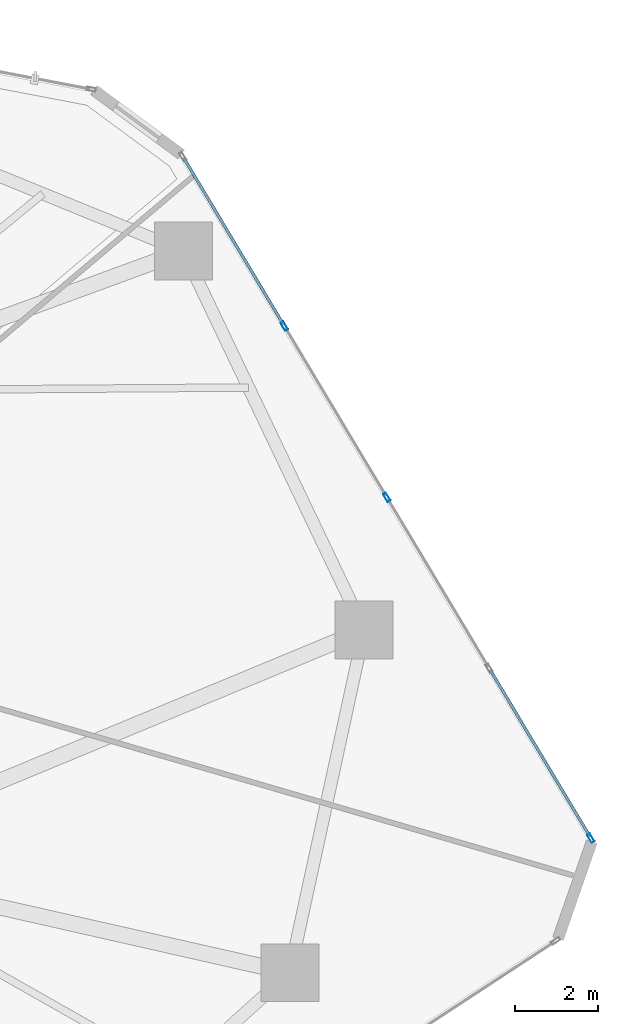
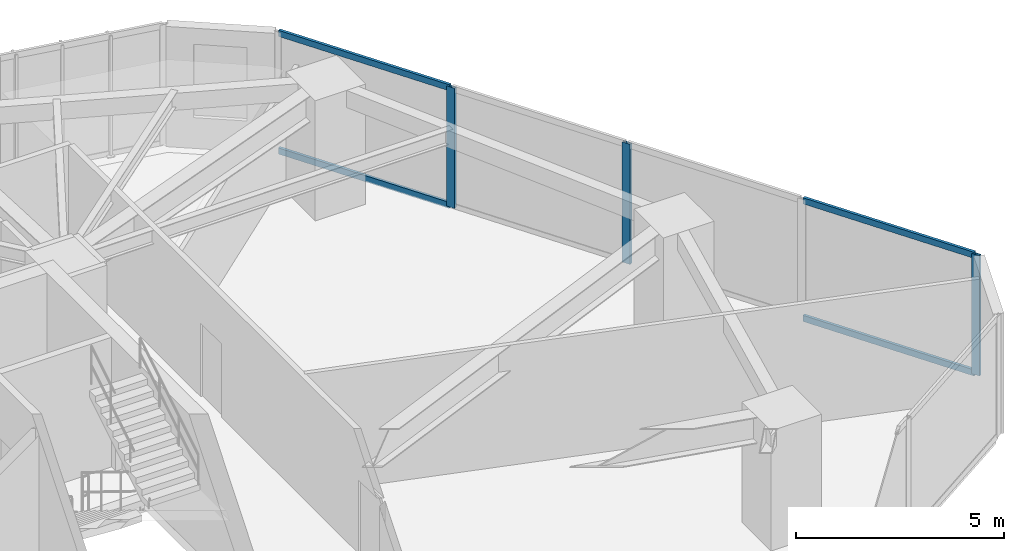
# One storey, part 12 of 20: 7 members, 1 element without a shape of its own.
"""IFC4 building model written with IfcOpenShell, lengths in metres."""

import ifcopenshell
import ifcopenshell.guid

model = None  # the IFC model being written
_history = None  # IfcOwnerHistory: only IFC2X3 demands one
_inside = {}  # id of a spatial element -> (the spatial element, [elements in it])
_under = {}  # id of a project, library or spatial element -> (it, [spatial elements below it])
_declared = {}  # id of a project -> (the project, [libraries it declares])
_typed = {}  # id of a type object -> (the type object, [elements of that type])
_made_of = {}  # id of a material, layer set ... -> (it, [elements and type objects made of it])


def new_model(schema):
    """Start an empty IFC model of exactly this schema.

    Asked for "IFC4X3", IfcOpenShell would pick the latest addendum, in which some entities
    have other attributes; the version numbers below select the first issue.
    IFC2X3 requires an IfcOwnerHistory on every rooted entity: one is made here for all.
    """
    global model, _history
    if schema == "IFC4X3":
        model = ifcopenshell.file(schema_version=(4, 3, 0, 0))
    else:
        model = ifcopenshell.file(schema=schema)
    _inside.clear()
    _under.clear()
    _declared.clear()
    _typed.clear()
    _made_of.clear()
    _history = None
    if model.schema == "IFC2X3":
        org = make("IfcOrganization", Name="unknown")
        user = make(
            "IfcPersonAndOrganization",
            ThePerson=make("IfcPerson", FamilyName="unknown"),
            TheOrganization=org,
        )
        app = make(
            "IfcApplication",
            ApplicationDeveloper=org,
            Version="unknown",
            ApplicationFullName="unknown",
            ApplicationIdentifier="unknown",
        )
        _history = make(
            "IfcOwnerHistory",
            OwningUser=user,
            OwningApplication=app,
            ChangeAction="ADDED",
            CreationDate=0,
        )
    return model


def make(cls, **values):
    """One entity of the class cls with the attributes given. An attribute that is None is left unset."""
    return model.create_entity(
        cls, **{name: value for name, value in values.items() if value is not None}
    )


def rooted(cls, **values):
    """An entity with a GlobalId (a new one), such as an element, a storey or a relation."""
    return make(cls, GlobalId=ifcopenshell.guid.new(), OwnerHistory=_history, **values)


def si_unit(unit_type, name, prefix=None):
    """IfcSIUnit, for example si_unit("LENGTHUNIT", "METRE", prefix="MILLI")."""
    return make("IfcSIUnit", UnitType=unit_type, Prefix=prefix, Name=name)


def assignment(units):
    """IfcUnitAssignment: the units of a project."""
    return None if units is None else make("IfcUnitAssignment", Units=units)


def point(xyz):
    """IfcCartesianPoint."""
    return None if xyz is None else make("IfcCartesianPoint", Coordinates=xyz)


def direction(xyz):
    """IfcDirection."""
    return None if xyz is None else make("IfcDirection", DirectionRatios=xyz)


def frame(location, z_axis=None, x_axis=None):
    """IfcAxis2Placement3D, a coordinate frame: its origin and axes. An axis left out is left unset."""
    return make(
        "IfcAxis2Placement3D",
        Location=point(location),
        Axis=direction(z_axis),
        RefDirection=direction(x_axis),
    )


def frame_2d(location, x_axis=None):
    """IfcAxis2Placement2D, a coordinate frame in the plane: its origin and x axis."""
    return make(
        "IfcAxis2Placement2D", Location=point(location), RefDirection=direction(x_axis)
    )


def origin():
    """The frame at (0, 0, 0) with its axes left unset."""
    return frame((0.0, 0.0, 0.0))


def origin_2d():
    """The frame at (0, 0) in the plane with its x axis left unset."""
    return frame_2d((0.0, 0.0))


def place(relative_to, where):
    """IfcLocalPlacement: puts the frame where relative to a parent placement (None: the world)."""
    return make(
        "IfcLocalPlacement", PlacementRelTo=relative_to, RelativePlacement=where
    )


def context(
    kind, dimensions, precision=None, world=None, true_north=None, identifier=None
):
    """IfcGeometricRepresentationContext, for example the 3D "Model" context."""
    return make(
        "IfcGeometricRepresentationContext",
        ContextIdentifier=identifier,
        ContextType=kind,
        CoordinateSpaceDimension=dimensions,
        Precision=precision,
        WorldCoordinateSystem=world,
        TrueNorth=true_north,
    )


def subcontext(parent, identifier, kind, view, scale=None):
    """IfcGeometricRepresentationSubContext, for example "Body" below "Model"."""
    return make(
        "IfcGeometricRepresentationSubContext",
        ContextIdentifier=identifier,
        ContextType=kind,
        ParentContext=parent,
        TargetScale=scale,
        TargetView=view,
    )


def project(units=None, contexts=None):
    """IfcProject with its units and contexts."""
    return rooted(
        "IfcProject",
        Name="project",
        RepresentationContexts=contexts,
        UnitsInContext=assignment(units),
    )


def spatial(cls, under=None, at=None, **own):
    """A site, building, storey or space (cls), placed at a placement, below another one or the project."""
    s = rooted(cls, ObjectPlacement=at, **own)
    if under is not None:
        _under.setdefault(under.id(), (under, []))[1].append(s)
    return s


def profile(cls, at=None, kind="AREA", **sizes):
    """A parametric profile (cls). Its sizes go by their IFC names, for example OverallWidth=200.0."""
    return make(cls, ProfileType=kind, Position=at, **sizes)


def hollow_rectangle(**sizes):
    """IfcRectangleHollowProfileDef."""
    return profile("IfcRectangleHollowProfileDef", **sizes)


def extrude(swept, where, along, depth):
    """IfcExtrudedAreaSolid: the profile swept, set in the frame where, extruded along a direction by depth."""
    return make(
        "IfcExtrudedAreaSolid",
        SweptArea=swept,
        Position=where,
        ExtrudedDirection=direction(along),
        Depth=depth,
    )


def shape(context_of_items, identifier, shape_type, items):
    """IfcShapeRepresentation: the items that make up one representation, for example the "Body"."""
    return make(
        "IfcShapeRepresentation",
        ContextOfItems=context_of_items,
        RepresentationIdentifier=identifier,
        RepresentationType=shape_type,
        Items=items,
    )


def source(mapping_origin, context_of_items, identifier, shape_type, items):
    """IfcRepresentationMap: a shape defined once, which mapped items show again and again."""
    return make(
        "IfcRepresentationMap",
        MappingOrigin=mapping_origin,
        MappedRepresentation=shape(context_of_items, identifier, shape_type, items),
    )


def transform(
    local_origin,
    x_axis=None,
    y_axis=None,
    z_axis=None,
    scale=None,
    scale2=None,
    scale3=None,
    uniform=True,
):
    """IfcCartesianTransformationOperator3D, or its non-uniform kind. x_axis, y_axis, z_axis: its Axis1, 2, 3."""
    if uniform:
        return make(
            "IfcCartesianTransformationOperator3D",
            Axis1=direction(x_axis),
            Axis2=direction(y_axis),
            LocalOrigin=point(local_origin),
            Scale=scale,
            Axis3=direction(z_axis),
        )
    return make(
        "IfcCartesianTransformationOperator3DnonUniform",
        Axis1=direction(x_axis),
        Axis2=direction(y_axis),
        LocalOrigin=point(local_origin),
        Scale=scale,
        Axis3=direction(z_axis),
        Scale2=scale2,
        Scale3=scale3,
    )


def mapped(mapping_source, mapping_target):
    """IfcMappedItem: shows the shape of a source again, moved by a transform."""
    return make(
        "IfcMappedItem", MappingSource=mapping_source, MappingTarget=mapping_target
    )


def material(Name=None, Category=None):
    """IfcMaterial."""
    return make("IfcMaterial", Name=Name, Category=Category)


def layer(
    of_material, thickness, ventilated=None, Name=None, Category=None, Priority=None
):
    """IfcMaterialLayer: one layer of a wall or slab, of a material (None: an air gap)."""
    return make(
        "IfcMaterialLayer",
        Material=of_material,
        LayerThickness=thickness,
        IsVentilated=ventilated,
        Name=Name,
        Category=Category,
        Priority=Priority,
    )


def layer_set(layers, Name=None):
    """IfcMaterialLayerSet."""
    return make("IfcMaterialLayerSet", MaterialLayers=layers, LayerSetName=Name)


def material_profile(
    of_material, cross_section, Name=None, Category=None, Priority=None
):
    """IfcMaterialProfile: a cross section and its material."""
    return make(
        "IfcMaterialProfile",
        Name=Name,
        Material=of_material,
        Profile=cross_section,
        Priority=Priority,
        Category=Category,
    )


def profile_set(profiles, Name=None, composite=None):
    """IfcMaterialProfileSet."""
    return make(
        "IfcMaterialProfileSet",
        Name=Name,
        MaterialProfiles=profiles,
        CompositeProfile=composite,
    )


def made_of(thing, what):
    """Note that an element or type object is made of a material, layer set ...; save() writes the relation."""
    if what is not None:
        _made_of.setdefault(what.id(), (what, []))[1].append(thing)
    return thing


def type_object(cls, material=None, **own):
    """A type object (cls), such as IfcWallType, which elements share."""
    return made_of(rooted(cls, **own), material)


def type_shapes(of_type, sources):
    """Give a type object the sources (RepresentationMaps) that its elements show as mapped items."""
    of_type.RepresentationMaps = sources


def element(
    cls,
    number,
    at=None,
    inside=None,
    cuts=None,
    type_object=None,
    material=None,
    context=None,
    identifier="Body",
    shape_type=None,
    held_by="IfcProductDefinitionShape",
    body=None,
    shapes=None,
    **own,
):
    """One element of the class cls, such as IfcWall. Its Tag is "e" and its number.

    at: its placement. inside: the storey or other place that contains it. cuts: it is an
    opening in that element (IfcRelVoidsElement). A single representation is given by context,
    identifier, shape_type and body (its items); several are given by shapes. held_by: the class
    of the entity that holds the representations. save() writes the other relations.
    """
    e = rooted(cls, Tag="e%d" % number, ObjectPlacement=at, **own)
    if body is not None:
        shapes = [shape(context, identifier, shape_type, body)]
    if shapes is not None:
        e.Representation = make(held_by, Representations=shapes)
    if inside is not None:
        _inside.setdefault(inside.id(), (inside, []))[1].append(e)
    if cuts is not None:
        rooted(
            "IfcRelVoidsElement", RelatingBuildingElement=cuts, RelatedOpeningElement=e
        )
    if type_object is not None:
        _typed.setdefault(type_object.id(), (type_object, []))[1].append(e)
    return made_of(e, material)


def aggregate(whole, parts):
    """IfcRelAggregates: a whole, such as a stair, and the parts it consists of."""
    return rooted("IfcRelAggregates", RelatingObject=whole, RelatedObjects=parts)


def save(model, path):
    """Write the relations noted so far, then the file.

    IfcRelAggregates (storeys below a building ...), IfcRelContainedInSpatialStructure (elements
    in a storey), IfcRelDefinesByType, IfcRelAssociatesMaterial and IfcRelDeclares: one each for
    every whole, place, type object, material and project.
    """
    for whole, parts in _under.values():
        aggregate(whole, parts)
    for where, things in _inside.values():
        rooted(
            "IfcRelContainedInSpatialStructure",
            RelatedElements=things,
            RelatingStructure=where,
        )
    for kind, things in _typed.values():
        rooted("IfcRelDefinesByType", RelatedObjects=things, RelatingType=kind)
    for what, things in _made_of.values():
        rooted("IfcRelAssociatesMaterial", RelatedObjects=things, RelatingMaterial=what)
    for by, libraries in _declared.values():
        rooted("IfcRelDeclares", RelatingContext=by, RelatedDefinitions=libraries)
    model.write(path)


model = new_model("IFC4")

# Units and contexts
model_context = context("Model", 3, precision=1e-05, world=origin(), true_north=direction((0.0, 1.0)))
body_context = subcontext(model_context, "Body", "Model", "MODEL_VIEW")
ifc_project = project(units=[si_unit("LENGTHUNIT", "METRE"), si_unit("AREAUNIT", "SQUARE_METRE"), si_unit("VOLUMEUNIT", "CUBIC_METRE"), si_unit("PLANEANGLEUNIT", "RADIAN"), si_unit("MASSUNIT", "GRAM", prefix="KILO")], contexts=[model_context])

# Site, building, storey
site_placement = place(None, origin())
site = spatial("IfcSite", under=ifc_project, at=site_placement, CompositionType="ELEMENT")
building_placement = place(site_placement, origin())
building = spatial("IfcBuilding", under=site, at=building_placement, Name="Talar Marvaseh", CompositionType="ELEMENT")
storey_placement = place(building_placement, frame((0.0, 0.0, 58.199951171875)))
storey = spatial("IfcBuildingStorey", under=building, at=storey_placement, Name="L14", CompositionType="ELEMENT", Elevation=58.199951171875)

# Curtain wall, members
ifc_material = material(Name="Architectural Aluminium", Category="aluminium")
ifc_layer = layer(ifc_material, 0.219970703125)
ifc_layer_set = layer_set([ifc_layer], Name="Architectural Aluminium")
curtain_wall_type = type_object("IfcCurtainWallType", Name="Unitised Low-E Museum Curtain Wall Z1", PredefinedType="NOTDEFINED", material=ifc_layer_set)
curtain_wall_placement = place(storey_placement, origin())
curtain_wall = element("IfcCurtainWall", 1, at=curtain_wall_placement, inside=storey, type_object=curtain_wall_type, Name="L14 Unitised Low-E Museum Curtain Wall Z1", PredefinedType="NOTDEFINED")
ifc_material_profile_1 = material_profile(ifc_material, hollow_rectangle(XDim=0.080078125, YDim=0.219970703125, WallThickness=0.0048828125, at=origin_2d()), Name="RHS220x80x5")
ifc_profile_set_1 = profile_set([ifc_material_profile_1], Name="Architectural Aluminium")
member_type_1 = type_object("IfcMemberType", Name="Unitised Curtain Wall Heavy Mullion RHS220x80x5", PredefinedType="MULLION", material=ifc_profile_set_1)
shared_shape_1 = source(origin(), body_context, "Body", "SweptSolid", [
    extrude(hollow_rectangle(XDim=0.080078125, YDim=0.219970703125, WallThickness=0.0048828125, at=origin_2d()), origin(), (0.0, 0.0, 1.0), 3.52001953125),
])
type_shapes(member_type_1, [shared_shape_1])
member_1_placement = place(storey_placement, frame((44.912353515625, 38.456298828125, 0.0), z_axis=(0.0, 0.0, 1.0), x_axis=(0.858028746169, 0.513601665445, 0.0)))
member_1 = element("IfcMember", 2, at=member_1_placement, type_object=member_type_1, Name="CW-Z1 mullion 2", PredefinedType="MULLION", context=body_context, shape_type="MappedRepresentation", body=[
    mapped(shared_shape_1, transform((0.0, 0.0, 0.0), x_axis=(1.0, 0.0, 0.0), y_axis=(0.0, 1.0, 0.0), z_axis=(0.0, 0.0, 1.0), scale=1.0)),
])
member_2_placement = place(storey_placement, frame((47.38623046875, 34.323486328125, 0.0), z_axis=(0.0, 0.0, 1.0), x_axis=(0.858028746169, 0.513601665445, 0.0)))
member_2 = element("IfcMember", 3, at=member_2_placement, type_object=member_type_1, Name="CW-Z1 mullion 3", PredefinedType="MULLION", context=body_context, shape_type="MappedRepresentation", body=[
    mapped(shared_shape_1, transform((0.0, 0.0, 0.0), x_axis=(1.0, 0.0, 0.0), y_axis=(0.0, 1.0, 0.0), z_axis=(0.0, 0.0, 1.0), scale=1.0)),
])
member_3_placement = place(storey_placement, frame((52.3134765625, 26.09228515625, 0.0), z_axis=(0.0, 0.0, 1.0), x_axis=(0.858028746169, 0.513601665445, 0.0)))
member_3 = element("IfcMember", 4, at=member_3_placement, type_object=member_type_1, Name="CW-Z1 mullion 5", PredefinedType="MULLION", context=body_context, shape_type="MappedRepresentation", body=[
    mapped(shared_shape_1, transform((0.0, 0.0, 0.0), x_axis=(1.0, 0.0, 0.0), y_axis=(0.0, 1.0, 0.0), z_axis=(0.0, 0.0, 1.0), scale=1.0)),
])
ifc_material_profile_2 = material_profile(ifc_material, hollow_rectangle(XDim=0.074951171875, YDim=0.179931640625, WallThickness=0.0048828125, at=origin_2d()), Name="RHS180x75x5")
ifc_profile_set_2 = profile_set([ifc_material_profile_2], Name="Architectural Aluminium")
member_type_2 = type_object("IfcMemberType", Name="Unitised Curtain Wall Transom RHS180x75x5", PredefinedType="USERDEFINED", material=ifc_profile_set_2)
shared_shape_2 = source(origin(), body_context, "Body", "SweptSolid", [
    extrude(hollow_rectangle(XDim=0.074951171875, YDim=0.179931640625, WallThickness=0.0048828125, at=origin_2d()), origin(), (0.0, 0.0, 1.0), 4.69677734375),
])
member_4_placement = place(storey_placement, frame((49.880615234375, 30.156494140625, 0.03759765625), z_axis=(0.513570503282, -0.85804739855, 0.0), x_axis=(0.85804739855, 0.513570503282, 0.0)))
member_4 = element("IfcMember", 5, at=member_4_placement, type_object=member_type_2, Name="CW-Z1 transom 4.1", ObjectType="TRANSOM", PredefinedType="USERDEFINED", context=body_context, shape_type="MappedRepresentation", body=[
    mapped(shared_shape_2, transform((0.0, 0.0, 0.0), x_axis=(1.0, 0.0, 0.0), y_axis=(0.0, 1.0, 0.0), z_axis=(0.0, 0.0, 1.0), scale=1.0)),
])
member_5_placement = place(storey_placement, frame((49.880615234375, 30.156494140625, 3.482666015625), z_axis=(0.513570503282, -0.85804739855, 0.0), x_axis=(0.85804739855, 0.513570503282, 0.0)))
member_5 = element("IfcMember", 6, at=member_5_placement, type_object=member_type_2, Name="CW-Z1 transom 4.2", ObjectType="TRANSOM", PredefinedType="USERDEFINED", context=body_context, shape_type="MappedRepresentation", body=[
    mapped(shared_shape_2, transform((0.0, 0.0, 0.0), x_axis=(1.0, 0.0, 0.0), y_axis=(0.0, 1.0, 0.0), z_axis=(0.0, 0.0, 1.0), scale=1.0)),
])
shared_shape_3 = source(origin(), body_context, "Body", "SweptSolid", [
    extrude(hollow_rectangle(XDim=0.074951171875, YDim=0.179931640625, WallThickness=0.0048828125, at=origin_2d()), origin(), (0.0, 0.0, 1.0), 4.696533203125),
])
type_shapes(member_type_2, [shared_shape_2, shared_shape_3])
member_6_placement = place(storey_placement, frame((42.479736328125, 42.5205078125, 0.03759765625), z_axis=(0.513593410396, -0.858033687449, 0.0), x_axis=(0.858033687449, 0.513593410396, 0.0)))
member_6 = element("IfcMember", 7, at=member_6_placement, type_object=member_type_2, Name="CW-Z1 transom 1.1", ObjectType="TRANSOM", PredefinedType="USERDEFINED", context=body_context, shape_type="MappedRepresentation", body=[
    mapped(shared_shape_3, transform((0.0, 0.0, 0.0), x_axis=(1.0, 0.0, 0.0), y_axis=(0.0, 1.0, 0.0), z_axis=(0.0, 0.0, 1.0), scale=1.0)),
])
member_7_placement = place(storey_placement, frame((42.479736328125, 42.5205078125, 3.482666015625), z_axis=(0.513593410396, -0.858033687449, 0.0), x_axis=(0.858033687449, 0.513593410396, 0.0)))
member_7 = element("IfcMember", 8, at=member_7_placement, type_object=member_type_2, Name="CW-Z1 transom 1.2", ObjectType="TRANSOM", PredefinedType="USERDEFINED", context=body_context, shape_type="MappedRepresentation", body=[
    mapped(shared_shape_3, transform((0.0, 0.0, 0.0), x_axis=(1.0, 0.0, 0.0), y_axis=(0.0, 1.0, 0.0), z_axis=(0.0, 0.0, 1.0), scale=1.0)),
])
aggregate(curtain_wall, [member_1, member_2, member_3, member_6, member_7, member_4, member_5])

save(model, "model.ifc")
